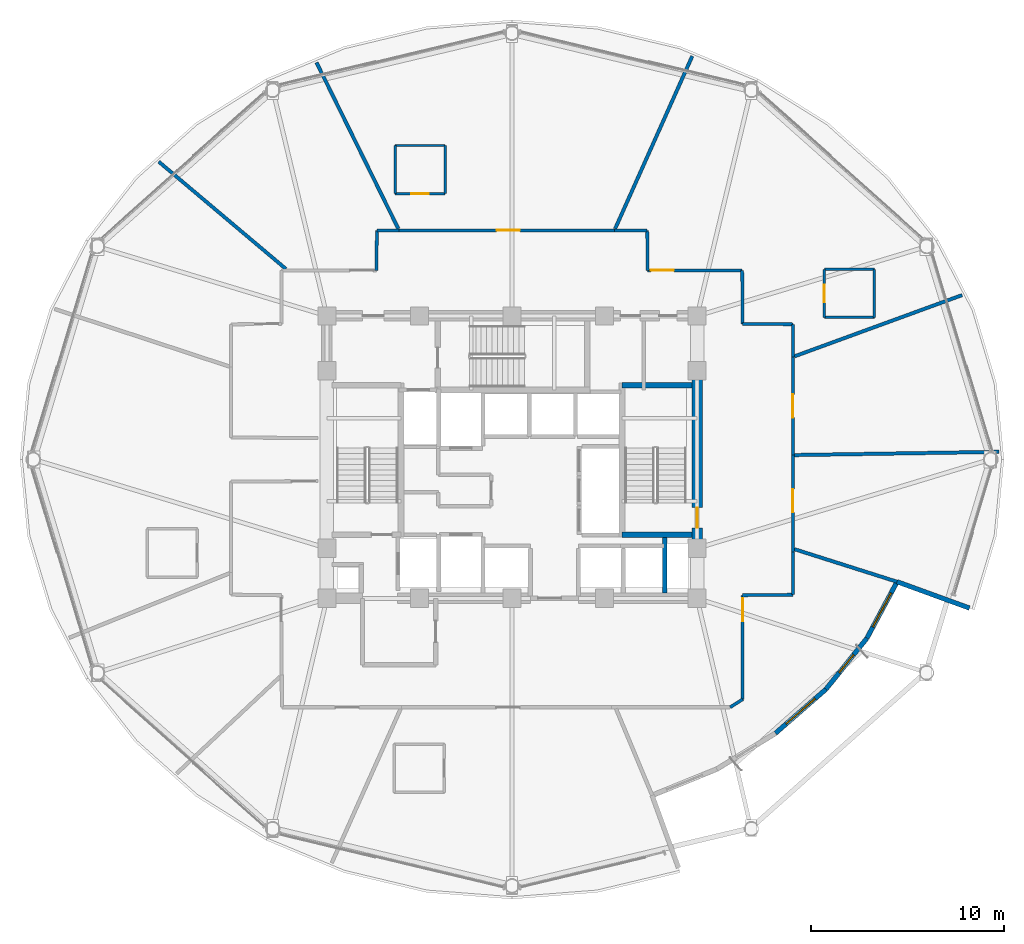
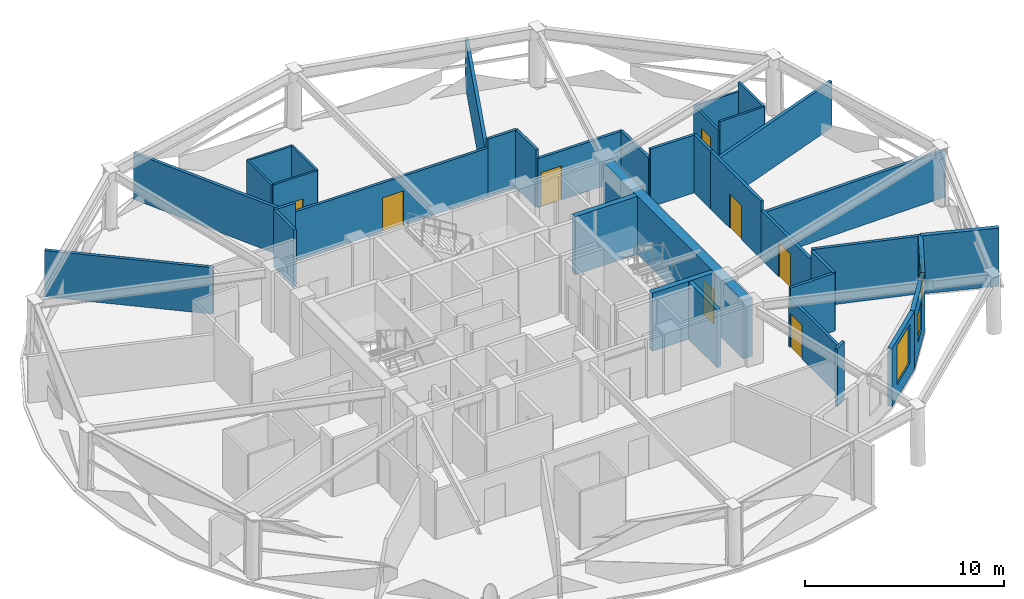
# One storey, part 12 of 16: 37 walls, 8 doors, 3 windows, 11 openings.
"""IFC4 building model written with IfcOpenShell, lengths in metres."""

import ifcopenshell
import ifcopenshell.guid

model = None  # the IFC model being written
_history = None  # IfcOwnerHistory: only IFC2X3 demands one
_inside = {}  # id of a spatial element -> (the spatial element, [elements in it])
_under = {}  # id of a project, library or spatial element -> (it, [spatial elements below it])
_declared = {}  # id of a project -> (the project, [libraries it declares])
_typed = {}  # id of a type object -> (the type object, [elements of that type])
_made_of = {}  # id of a material, layer set ... -> (it, [elements and type objects made of it])


def new_model(schema):
    """Start an empty IFC model of exactly this schema.

    Asked for "IFC4X3", IfcOpenShell would pick the latest addendum, in which some entities
    have other attributes; the version numbers below select the first issue.
    IFC2X3 requires an IfcOwnerHistory on every rooted entity: one is made here for all.
    """
    global model, _history
    if schema == "IFC4X3":
        model = ifcopenshell.file(schema_version=(4, 3, 0, 0))
    else:
        model = ifcopenshell.file(schema=schema)
    _inside.clear()
    _under.clear()
    _declared.clear()
    _typed.clear()
    _made_of.clear()
    _history = None
    if model.schema == "IFC2X3":
        org = make("IfcOrganization", Name="unknown")
        user = make(
            "IfcPersonAndOrganization",
            ThePerson=make("IfcPerson", FamilyName="unknown"),
            TheOrganization=org,
        )
        app = make(
            "IfcApplication",
            ApplicationDeveloper=org,
            Version="unknown",
            ApplicationFullName="unknown",
            ApplicationIdentifier="unknown",
        )
        _history = make(
            "IfcOwnerHistory",
            OwningUser=user,
            OwningApplication=app,
            ChangeAction="ADDED",
            CreationDate=0,
        )
    return model


def make(cls, **values):
    """One entity of the class cls with the attributes given. An attribute that is None is left unset."""
    return model.create_entity(
        cls, **{name: value for name, value in values.items() if value is not None}
    )


def rooted(cls, **values):
    """An entity with a GlobalId (a new one), such as an element, a storey or a relation."""
    return make(cls, GlobalId=ifcopenshell.guid.new(), OwnerHistory=_history, **values)


def si_unit(unit_type, name, prefix=None):
    """IfcSIUnit, for example si_unit("LENGTHUNIT", "METRE", prefix="MILLI")."""
    return make("IfcSIUnit", UnitType=unit_type, Prefix=prefix, Name=name)


def assignment(units):
    """IfcUnitAssignment: the units of a project."""
    return None if units is None else make("IfcUnitAssignment", Units=units)


def point(xyz):
    """IfcCartesianPoint."""
    return None if xyz is None else make("IfcCartesianPoint", Coordinates=xyz)


def direction(xyz):
    """IfcDirection."""
    return None if xyz is None else make("IfcDirection", DirectionRatios=xyz)


def frame(location, z_axis=None, x_axis=None):
    """IfcAxis2Placement3D, a coordinate frame: its origin and axes. An axis left out is left unset."""
    return make(
        "IfcAxis2Placement3D",
        Location=point(location),
        Axis=direction(z_axis),
        RefDirection=direction(x_axis),
    )


def frame_2d(location, x_axis=None):
    """IfcAxis2Placement2D, a coordinate frame in the plane: its origin and x axis."""
    return make(
        "IfcAxis2Placement2D", Location=point(location), RefDirection=direction(x_axis)
    )


def origin():
    """The frame at (0, 0, 0) with its axes left unset."""
    return frame((0.0, 0.0, 0.0))


def place(relative_to, where):
    """IfcLocalPlacement: puts the frame where relative to a parent placement (None: the world)."""
    return make(
        "IfcLocalPlacement", PlacementRelTo=relative_to, RelativePlacement=where
    )


def context(
    kind, dimensions, precision=None, world=None, true_north=None, identifier=None
):
    """IfcGeometricRepresentationContext, for example the 3D "Model" context."""
    return make(
        "IfcGeometricRepresentationContext",
        ContextIdentifier=identifier,
        ContextType=kind,
        CoordinateSpaceDimension=dimensions,
        Precision=precision,
        WorldCoordinateSystem=world,
        TrueNorth=true_north,
    )


def subcontext(parent, identifier, kind, view, scale=None):
    """IfcGeometricRepresentationSubContext, for example "Body" below "Model"."""
    return make(
        "IfcGeometricRepresentationSubContext",
        ContextIdentifier=identifier,
        ContextType=kind,
        ParentContext=parent,
        TargetScale=scale,
        TargetView=view,
    )


def project(units=None, contexts=None):
    """IfcProject with its units and contexts."""
    return rooted(
        "IfcProject",
        Name="project",
        RepresentationContexts=contexts,
        UnitsInContext=assignment(units),
    )


def spatial(cls, under=None, at=None, **own):
    """A site, building, storey or space (cls), placed at a placement, below another one or the project."""
    s = rooted(cls, ObjectPlacement=at, **own)
    if under is not None:
        _under.setdefault(under.id(), (under, []))[1].append(s)
    return s


def profile(cls, at=None, kind="AREA", **sizes):
    """A parametric profile (cls). Its sizes go by their IFC names, for example OverallWidth=200.0."""
    return make(cls, ProfileType=kind, Position=at, **sizes)


def rectangle(**sizes):
    """IfcRectangleProfileDef."""
    return profile("IfcRectangleProfileDef", **sizes)


def extrude(swept, where, along, depth):
    """IfcExtrudedAreaSolid: the profile swept, set in the frame where, extruded along a direction by depth."""
    return make(
        "IfcExtrudedAreaSolid",
        SweptArea=swept,
        Position=where,
        ExtrudedDirection=direction(along),
        Depth=depth,
    )


def shape(context_of_items, identifier, shape_type, items):
    """IfcShapeRepresentation: the items that make up one representation, for example the "Body"."""
    return make(
        "IfcShapeRepresentation",
        ContextOfItems=context_of_items,
        RepresentationIdentifier=identifier,
        RepresentationType=shape_type,
        Items=items,
    )


def material(Name=None, Category=None):
    """IfcMaterial."""
    return make("IfcMaterial", Name=Name, Category=Category)


def layer(
    of_material, thickness, ventilated=None, Name=None, Category=None, Priority=None
):
    """IfcMaterialLayer: one layer of a wall or slab, of a material (None: an air gap)."""
    return make(
        "IfcMaterialLayer",
        Material=of_material,
        LayerThickness=thickness,
        IsVentilated=ventilated,
        Name=Name,
        Category=Category,
        Priority=Priority,
    )


def layer_set(layers, Name=None):
    """IfcMaterialLayerSet."""
    return make("IfcMaterialLayerSet", MaterialLayers=layers, LayerSetName=Name)


def made_of(thing, what):
    """Note that an element or type object is made of a material, layer set ...; save() writes the relation."""
    if what is not None:
        _made_of.setdefault(what.id(), (what, []))[1].append(thing)
    return thing


def type_object(cls, material=None, **own):
    """A type object (cls), such as IfcWallType, which elements share."""
    return made_of(rooted(cls, **own), material)


def element(
    cls,
    number,
    at=None,
    inside=None,
    cuts=None,
    type_object=None,
    material=None,
    context=None,
    identifier="Body",
    shape_type=None,
    held_by="IfcProductDefinitionShape",
    body=None,
    shapes=None,
    **own,
):
    """One element of the class cls, such as IfcWall. Its Tag is "e" and its number.

    at: its placement. inside: the storey or other place that contains it. cuts: it is an
    opening in that element (IfcRelVoidsElement). A single representation is given by context,
    identifier, shape_type and body (its items); several are given by shapes. held_by: the class
    of the entity that holds the representations. save() writes the other relations.
    """
    e = rooted(cls, Tag="e%d" % number, ObjectPlacement=at, **own)
    if body is not None:
        shapes = [shape(context, identifier, shape_type, body)]
    if shapes is not None:
        e.Representation = make(held_by, Representations=shapes)
    if inside is not None:
        _inside.setdefault(inside.id(), (inside, []))[1].append(e)
    if cuts is not None:
        rooted(
            "IfcRelVoidsElement", RelatingBuildingElement=cuts, RelatedOpeningElement=e
        )
    if type_object is not None:
        _typed.setdefault(type_object.id(), (type_object, []))[1].append(e)
    return made_of(e, material)


def fill(opening, filler):
    """IfcRelFillsElement: the door or window that sits in an opening."""
    return rooted(
        "IfcRelFillsElement",
        RelatingOpeningElement=opening,
        RelatedBuildingElement=filler,
    )


def aggregate(whole, parts):
    """IfcRelAggregates: a whole, such as a stair, and the parts it consists of."""
    return rooted("IfcRelAggregates", RelatingObject=whole, RelatedObjects=parts)


def save(model, path):
    """Write the relations noted so far, then the file.

    IfcRelAggregates (storeys below a building ...), IfcRelContainedInSpatialStructure (elements
    in a storey), IfcRelDefinesByType, IfcRelAssociatesMaterial and IfcRelDeclares: one each for
    every whole, place, type object, material and project.
    """
    for whole, parts in _under.values():
        aggregate(whole, parts)
    for where, things in _inside.values():
        rooted(
            "IfcRelContainedInSpatialStructure",
            RelatedElements=things,
            RelatingStructure=where,
        )
    for kind, things in _typed.values():
        rooted("IfcRelDefinesByType", RelatedObjects=things, RelatingType=kind)
    for what, things in _made_of.values():
        rooted("IfcRelAssociatesMaterial", RelatedObjects=things, RelatingMaterial=what)
    for by, libraries in _declared.values():
        rooted("IfcRelDeclares", RelatingContext=by, RelatedDefinitions=libraries)
    model.write(path)


model = new_model("IFC4")

# Units and contexts
model_context = context("Model", 3, precision=1e-05, world=origin(), true_north=direction((0.0, 1.0)))
body_context = subcontext(model_context, "Body", "Model", "MODEL_VIEW")
ifc_project = project(units=[si_unit("LENGTHUNIT", "METRE"), si_unit("AREAUNIT", "SQUARE_METRE"), si_unit("VOLUMEUNIT", "CUBIC_METRE"), si_unit("PLANEANGLEUNIT", "RADIAN"), si_unit("MASSUNIT", "GRAM", prefix="KILO")], contexts=[model_context])

# Site, building, storey
site_placement = place(None, origin())
site = spatial("IfcSite", under=ifc_project, at=site_placement, CompositionType="ELEMENT")
building_placement = place(site_placement, origin())
building = spatial("IfcBuilding", under=site, at=building_placement, Name="Vantalir Tower", CompositionType="ELEMENT")
storey_placement = place(building_placement, frame((0.0, 0.0, 145.949951171875)))
storey = spatial("IfcBuildingStorey", under=building, at=storey_placement, Name="L36", CompositionType="ELEMENT", Elevation=145.949951171875)

# Walls
ifc_material_1 = material(Name="Moisture-resistant en-suite partition", Category="gypsum")
ifc_layer_1 = layer(ifc_material_1, 0.125)
ifc_layer_set_1 = layer_set([ifc_layer_1], Name="Moisture-resistant en-suite partition")
wall_type_1 = type_object("IfcWallType", Name="WL-BATH-125", PredefinedType="PARTITIONING", material=ifc_layer_set_1)
wall_1_placement = place(storey_placement, frame((47.697998046875, 32.3701171875, 0.0), z_axis=(0.0, 0.0, 1.0), x_axis=(1.0, 0.0, 0.0)))
element("IfcWall", 1, at=wall_1_placement, inside=storey, type_object=wall_type_1, Name="L36 En-suite 01 South Wall", PredefinedType="PARTITIONING", context=body_context, shape_type="SweptSolid", body=[
    extrude(rectangle(XDim=2.60009765625, YDim=0.125, at=frame_2d((1.300048828125, 0.0))), origin(), (0.0, 0.0, 1.0), 3.550048828125),
])
wall_2_placement = place(storey_placement, frame((47.697998046875, 34.8701171875, 0.0), z_axis=(0.0, 0.0, 1.0), x_axis=(1.0, 0.0, 0.0)))
element("IfcWall", 2, at=wall_2_placement, inside=storey, type_object=wall_type_1, Name="L36 En-suite 01 North Wall", PredefinedType="PARTITIONING", context=body_context, shape_type="SweptSolid", body=[
    extrude(rectangle(XDim=2.60009765625, YDim=0.125, at=frame_2d((1.300048828125, 0.0))), origin(), (0.0, 0.0, 1.0), 3.006103515625),
])

# Wall, opening, door
wall_3_placement = place(storey_placement, frame((47.697998046875, 32.3701171875, 0.0), z_axis=(0.0, 0.0, 1.0), x_axis=(0.0, 1.0, 0.0)))
wall_3 = element("IfcWall", 3, at=wall_3_placement, inside=storey, type_object=wall_type_1, Name="L36 En-suite 01 West Wall", PredefinedType="PARTITIONING", context=body_context, shape_type="SweptSolid", body=[
    extrude(rectangle(XDim=2.5, YDim=0.125, at=frame_2d((1.25, 0.0))), origin(), (0.0, 0.0, 1.0), 3.006103515625),
])
opening_1_placement = place(wall_3_placement, frame((0.800048828125, 0.0, 0.0)))
opening_1 = element("IfcOpeningElement", 4, at=opening_1_placement, cuts=wall_3, Name="Opening D-WC", PredefinedType="OPENING", context=body_context, shape_type="SweptSolid", body=[
    extrude(rectangle(XDim=0.89990234375, YDim=2.10009765625, at=frame_2d((0.449951171875, 1.050048828125))), frame((0.0, 0.072509765625, 0.0), z_axis=(0.0, -1.0, 0.0), x_axis=(1.0, 0.0, 0.0)), (0.0, 0.0, 1.0), 0.14501953125),
])
ifc_material_2 = material(Name="Moisture-resistant hardwood door", Category="wood")
door_type_1 = type_object("IfcDoorType", Name="DR-ENSUITE-900", OperationType="NOTDEFINED", PredefinedType="DOOR", material=ifc_material_2)
door_1_placement = place(opening_1_placement, frame((0.89990234375, 0.0, 0.0), z_axis=(0.0, 0.0, 1.0), x_axis=(-1.0, 0.0, 0.0)))
door_1 = element("IfcDoor", 5, at=door_1_placement, inside=storey, type_object=door_type_1, Name="L36 En-suite 01 Door", OperationType="SINGLE_SWING_RIGHT", OverallHeight=2.10009765625, OverallWidth=0.89990234375, PredefinedType="DOOR", context=body_context, shape_type="SweptSolid", body=[
    extrude(rectangle(XDim=0.89990234375, YDim=2.10009765625, at=frame_2d((0.449951171875, 1.050048828125))), frame((0.0, 0.02490234375, 0.0), z_axis=(0.0, -1.0, 0.0), x_axis=(1.0, 0.0, 0.0)), (0.0, 0.0, 1.0), 0.050048828125),
])
fill(opening_1, door_1)

# Wall
wall_4_placement = place(storey_placement, frame((50.298095703125, 32.3701171875, 0.0), z_axis=(0.0, 0.0, 1.0), x_axis=(0.0, 1.0, 0.0)))
element("IfcWall", 6, at=wall_4_placement, inside=storey, type_object=wall_type_1, Name="L36 En-suite 01 East Wall", PredefinedType="PARTITIONING", context=body_context, shape_type="SweptSolid", body=[
    extrude(rectangle(XDim=2.5, YDim=0.125, at=frame_2d((1.25, 0.0))), origin(), (0.0, 0.0, 1.0), 3.550048828125),
])

# Wall, opening, door
wall_5_placement = place(storey_placement, frame((25.43505859375, 38.7880859375, 0.0), z_axis=(0.0, 0.0, 1.0), x_axis=(1.0, 0.0, 0.0)))
wall_5 = element("IfcWall", 7, at=wall_5_placement, inside=storey, type_object=wall_type_1, Name="L36 En-suite 02 South Wall", PredefinedType="PARTITIONING", context=body_context, shape_type="SweptSolid", body=[
    extrude(rectangle(XDim=2.599853515625, YDim=0.125, at=frame_2d((1.2998046875, 0.0))), origin(), (0.0, 0.0, 1.0), 3.550048828125),
])
opening_2_placement = place(wall_5_placement, frame((0.85009765625, 0.0, 0.0)))
opening_2 = element("IfcOpeningElement", 8, at=opening_2_placement, cuts=wall_5, Name="Opening D-WC", PredefinedType="OPENING", context=body_context, shape_type="SweptSolid", body=[
    extrude(rectangle(XDim=0.89990234375, YDim=2.10009765625, at=frame_2d((0.449951171875, 1.050048828125))), frame((0.0, 0.072509765625, 0.0), z_axis=(0.0, -1.0, 0.0), x_axis=(1.0, 0.0, 0.0)), (0.0, 0.0, 1.0), 0.14501953125),
])
door_2_placement = place(opening_2_placement, origin())
door_2 = element("IfcDoor", 9, at=door_2_placement, inside=storey, type_object=door_type_1, Name="L36 En-suite 02 Door", OperationType="SINGLE_SWING_LEFT", OverallHeight=2.10009765625, OverallWidth=0.89990234375, PredefinedType="DOOR", context=body_context, shape_type="SweptSolid", body=[
    extrude(rectangle(XDim=0.89990234375, YDim=2.10009765625, at=frame_2d((0.449951171875, 1.050048828125))), frame((0.0, 0.02490234375, 0.0), z_axis=(0.0, -1.0, 0.0), x_axis=(1.0, 0.0, 0.0)), (0.0, 0.0, 1.0), 0.050048828125),
])
fill(opening_2, door_2)

# Walls
wall_6_placement = place(storey_placement, frame((25.43505859375, 41.2880859375, 0.0), z_axis=(0.0, 0.0, 1.0), x_axis=(1.0, 0.0, 0.0)))
element("IfcWall", 10, at=wall_6_placement, inside=storey, type_object=wall_type_1, Name="L36 En-suite 02 North Wall", PredefinedType="PARTITIONING", context=body_context, shape_type="SweptSolid", body=[
    extrude(rectangle(XDim=2.599853515625, YDim=0.125, at=frame_2d((1.2998046875, 0.0))), origin(), (0.0, 0.0, 1.0), 3.550048828125),
])
for number, where, z_axis, x_axis, name in (
    (11, (25.43505859375, 38.7880859375, 0.0), (0.0, 0.0, 1.0), (0.0, 1.0, 0.0), "L36 En-suite 02 West Wall"),
    (12, (28.034912109375, 38.7880859375, 0.0), (0.0, 0.0, 1.0), (0.0, 1.0, 0.0), "L36 En-suite 02 East Wall"),
):
    element("IfcWall", number, at=place(storey_placement, frame(where, z_axis=z_axis, x_axis=x_axis)), inside=storey, type_object=wall_type_1, Name=name, PredefinedType="PARTITIONING", context=body_context, shape_type="SweptSolid", body=[
        extrude(rectangle(XDim=2.5, YDim=0.125, at=frame_2d((1.25, 0.0))), origin(), (0.0, 0.0, 1.0), 3.550048828125),
    ])

# Wall, opening, door
ifc_material_3 = material(Name="Concrete C60/75", Category="concrete")
ifc_layer_2 = layer(ifc_material_3, 0.550048828125)
ifc_layer_set_2 = layer_set([ifc_layer_2], Name="Concrete C60/75")
wall_type_2 = type_object("IfcWallType", Name="WL-CORE-550", PredefinedType="SHEAR", material=ifc_layer_set_2)
wall_7_placement = place(storey_placement, frame((41.10009765625, 18.074951171875, 0.0), z_axis=(0.0, 0.0, 1.0), x_axis=(0.0, 1.0, 0.0)))
wall_7 = element("IfcWall", 13, at=wall_7_placement, inside=storey, type_object=wall_type_2, Name="L36 Core Shear Wall East", PredefinedType="SHEAR", context=body_context, shape_type="SweptSolid", body=[
    extrude(rectangle(XDim=14.10009765625, YDim=0.550048828125, at=frame_2d((7.050048828125, 0.0))), origin(), (0.0, 0.0, 1.0), 3.570068359375),
])
opening_3_placement = place(wall_7_placement, frame((3.385009765625, 0.0, 0.0)))
opening_3 = element("IfcOpeningElement", 14, at=opening_3_placement, cuts=wall_7, Name="Opening D-ST", PredefinedType="OPENING", context=body_context, shape_type="SweptSolid", body=[
    extrude(rectangle(XDim=1.050048828125, YDim=2.10009765625, at=frame_2d((0.52490234375, 1.050048828125))), frame((0.0, 0.284912109375, 0.0), z_axis=(0.0, -1.0, 0.0), x_axis=(1.0, 0.0, 0.0)), (0.0, 0.0, 1.0), 0.570068359375),
])
ifc_material_4 = material(Name="Fire-rated steel door leaf", Category="steel")
door_type_2 = type_object("IfcDoorType", Name="DR-FIRE-STAIR-1050", OperationType="NOTDEFINED", PredefinedType="DOOR", material=ifc_material_4)
door_3_placement = place(opening_3_placement, origin())
door_3 = element("IfcDoor", 15, at=door_3_placement, inside=storey, type_object=door_type_2, Name="L36 Exit Stair ST2 Fire Door", OperationType="SINGLE_SWING_LEFT", OverallHeight=2.10009765625, OverallWidth=1.050048828125, PredefinedType="DOOR", context=body_context, shape_type="SweptSolid", body=[
    extrude(rectangle(XDim=1.050048828125, YDim=2.10009765625, at=frame_2d((0.52490234375, 1.050048828125))), frame((0.0, 0.02490234375, 0.0), z_axis=(0.0, -1.0, 0.0), x_axis=(1.0, 0.0, 0.0)), (0.0, 0.0, 1.0), 0.050048828125),
])
fill(opening_3, door_3)

# Walls
ifc_material_5 = material(Name="Fire-rated hotel corridor acoustic partition", Category="gypsum")
ifc_layer_3 = layer(ifc_material_5, 0.159912109375)
ifc_layer_set_3 = layer_set([ifc_layer_3], Name="Fire-rated hotel corridor acoustic partition")
wall_type_3 = type_object("IfcWallType", Name="WL-CORR-160", PredefinedType="PARTITIONING", material=ifc_layer_set_3)
wall_8_placement = place(storey_placement, frame((24.4599609375, 34.81494140625, 0.0), z_axis=(0.0, 0.0, 1.0), x_axis=(0.0174111737, 0.999848414026, 0.0)))
element("IfcWall", 16, at=wall_8_placement, inside=storey, type_object=wall_type_3, Name="L36 Corridor Partition 07", PredefinedType="PARTITIONING", context=body_context, shape_type="SweptSolid", body=[
    extrude(rectangle(XDim=2.0751953125, YDim=0.159912109375, at=frame_2d((1.03759765625, 0.0))), origin(), (0.0, 0.0, 1.0), 3.550048828125),
])
wall_9_placement = place(storey_placement, frame((24.49609375, 36.889892578125, 0.0), z_axis=(0.0, 0.0, 1.0), x_axis=(1.0, 0.0, 0.0)))
element("IfcWall", 17, at=wall_9_placement, inside=storey, type_object=wall_type_3, Name="L36 Corridor Partition 08", PredefinedType="PARTITIONING", context=body_context, shape_type="SweptSolid", body=[
    extrude(rectangle(XDim=1.14892578125, YDim=0.159912109375, at=frame_2d((0.574462890625, 0.0))), origin(), (0.0, 0.0, 1.0), 3.550048828125),
])

# Wall, opening, door
wall_10_placement = place(storey_placement, frame((25.64501953125, 36.889892578125, 0.0), z_axis=(0.0, 0.0, 1.0), x_axis=(0.999999984705, -0.000174901615, 0.0)))
wall_10 = element("IfcWall", 18, at=wall_10_placement, inside=storey, type_object=wall_type_3, Name="L36 Corridor Partition 09", PredefinedType="PARTITIONING", context=body_context, shape_type="SweptSolid", body=[
    extrude(rectangle(XDim=11.1669921875, YDim=0.159912109375, at=frame_2d((5.58349609375, 0.0))), origin(), (0.0, 0.0, 1.0), 3.006103515625),
])
opening_4_placement = place(wall_10_placement, frame((5.05810546875, 0.0, 0.0)))
opening_4 = element("IfcOpeningElement", 19, at=opening_4_placement, cuts=wall_10, Name="Opening D-STE", PredefinedType="OPENING", context=body_context, shape_type="SweptSolid", body=[
    extrude(rectangle(XDim=1.199951171875, YDim=2.10009765625, at=frame_2d((0.60009765625, 1.050048828125))), frame((0.0, 0.08984375, 0.0), z_axis=(0.0, -1.0, 0.0), x_axis=(1.0, 0.0, 0.0)), (0.0, 0.0, 1.0), 0.179931640625),
])
ifc_material_6 = material(Name="Solid-core teak veneer suite entrance door", Category="wood")
door_type_3 = type_object("IfcDoorType", Name="DR-SUITE-ENTRY-1200", OperationType="NOTDEFINED", PredefinedType="DOOR", material=ifc_material_6)
door_4_placement = place(opening_4_placement, origin())
door_4 = element("IfcDoor", 20, at=door_4_placement, inside=storey, type_object=door_type_3, Name="L36 Executive Club Hotel Suite 02 Door", OperationType="SINGLE_SWING_RIGHT", OverallHeight=2.10009765625, OverallWidth=1.199951171875, PredefinedType="DOOR", context=body_context, shape_type="SweptSolid", body=[
    extrude(rectangle(XDim=1.199951171875, YDim=2.10009765625, at=frame_2d((0.60009765625, 1.050048828125))), frame((0.0, 0.02490234375, 0.0), z_axis=(0.0, -1.0, 0.0), x_axis=(1.0, 0.0, 0.0)), (0.0, 0.0, 1.0), 0.050048828125),
])
fill(opening_4, door_4)

# Walls
wall_11_placement = place(storey_placement, frame((36.81201171875, 36.887939453125, 0.0), z_axis=(0.0, 0.0, 1.0), x_axis=(1.0, 0.0, 0.0)))
element("IfcWall", 21, at=wall_11_placement, inside=storey, type_object=wall_type_3, Name="L36 Corridor Partition 10", PredefinedType="PARTITIONING", context=body_context, shape_type="SweptSolid", body=[
    extrude(rectangle(XDim=1.699951171875, YDim=0.159912109375, at=frame_2d((0.85009765625, 0.0))), origin(), (0.0, 0.0, 1.0), 3.550048828125),
])
wall_12_placement = place(storey_placement, frame((38.511962890625, 36.887939453125, 0.0), z_axis=(0.0, 0.0, 1.0), x_axis=(0.013542510192, -0.999908296004, 0.0)))
element("IfcWall", 22, at=wall_12_placement, inside=storey, type_object=wall_type_3, Name="L36 Corridor Partition 11", PredefinedType="PARTITIONING", context=body_context, shape_type="SweptSolid", body=[
    extrude(rectangle(XDim=2.0732421875, YDim=0.159912109375, at=frame_2d((1.03662109375, 0.0))), origin(), (0.0, 0.0, 1.0), 3.550048828125),
])

# Wall, opening, door
wall_13_placement = place(storey_placement, frame((38.5400390625, 34.81494140625, 0.0), z_axis=(0.0, 0.0, 1.0), x_axis=(0.999999821253, -0.000597907217, 0.0)))
wall_13 = element("IfcWall", 23, at=wall_13_placement, inside=storey, type_object=wall_type_3, Name="L36 Corridor Partition 12", PredefinedType="PARTITIONING", context=body_context, shape_type="SweptSolid", body=[
    extrude(rectangle(XDim=4.89990234375, YDim=0.159912109375, at=frame_2d((2.449951171875, 0.0))), origin(), (0.0, 0.0, 1.0), 3.006103515625),
])
opening_5_placement = place(wall_13_placement, frame((0.159912109375, 0.0, 0.0)))
opening_5 = element("IfcOpeningElement", 24, at=opening_5_placement, cuts=wall_13, Name="Opening D-STE", PredefinedType="OPENING", context=body_context, shape_type="SweptSolid", body=[
    extrude(rectangle(XDim=1.199951171875, YDim=2.10009765625, at=frame_2d((0.60009765625, 1.050048828125))), frame((0.0, 0.08984375, 0.0), z_axis=(0.0, -1.0, 0.0), x_axis=(1.0, 0.0, 0.0)), (0.0, 0.0, 1.0), 0.179931640625),
])
door_5_placement = place(opening_5_placement, origin())
door_5 = element("IfcDoor", 25, at=door_5_placement, inside=storey, type_object=door_type_3, Name="L36 Corner Panorama Hotel Suite 01 Door", OperationType="SINGLE_SWING_LEFT", OverallHeight=2.10009765625, OverallWidth=1.199951171875, PredefinedType="DOOR", context=body_context, shape_type="SweptSolid", body=[
    extrude(rectangle(XDim=1.199951171875, YDim=2.10009765625, at=frame_2d((0.60009765625, 1.050048828125))), frame((0.0, 0.02490234375, 0.0), z_axis=(0.0, -1.0, 0.0), x_axis=(1.0, 0.0, 0.0)), (0.0, 0.0, 1.0), 0.050048828125),
])
fill(opening_5, door_5)

# Walls
wall_14_placement = place(storey_placement, frame((43.43994140625, 34.81201171875, 0.0), z_axis=(0.0, 0.0, 1.0), x_axis=(0.009071319538, -0.999958854734, 0.0)))
element("IfcWall", 26, at=wall_14_placement, inside=storey, type_object=wall_type_3, Name="L36 Corridor Partition 13", PredefinedType="PARTITIONING", context=body_context, shape_type="SweptSolid", body=[
    extrude(rectangle(XDim=2.77197265625, YDim=0.159912109375, at=frame_2d((1.385986328125, 0.0))), origin(), (0.0, 0.0, 1.0), 3.006103515625),
])
wall_15_placement = place(storey_placement, frame((43.465087890625, 32.0400390625, 0.0), z_axis=(0.0, 0.0, 1.0), x_axis=(0.999953480577, -0.009645552397, 0.0)))
element("IfcWall", 27, at=wall_15_placement, inside=storey, type_object=wall_type_3, Name="L36 Corridor Partition 14", PredefinedType="PARTITIONING", context=body_context, shape_type="SweptSolid", body=[
    extrude(rectangle(XDim=2.60693359375, YDim=0.159912109375, at=frame_2d((1.303466796875, 0.0))), origin(), (0.0, 0.0, 1.0), 3.550048828125),
])
wall_16_placement = place(storey_placement, frame((46.072021484375, 32.014892578125, 0.0), z_axis=(0.0, 0.0, 1.0), x_axis=(0.0, -1.0, 0.0)))
element("IfcWall", 28, at=wall_16_placement, inside=storey, type_object=wall_type_3, Name="L36 Corridor Partition 15", PredefinedType="PARTITIONING", context=body_context, shape_type="SweptSolid", body=[
    extrude(rectangle(XDim=1.69091796875, YDim=0.159912109375, at=frame_2d((0.845458984375, 0.0))), origin(), (0.0, 0.0, 1.0), 3.550048828125),
])

# Wall, opening, door
wall_17_placement = place(storey_placement, frame((46.072021484375, 30.323974609375, 0.0), z_axis=(0.0, 0.0, 1.0), x_axis=(0.000191708599, -0.999999981624, 0.0)))
wall_17 = element("IfcWall", 29, at=wall_17_placement, inside=storey, type_object=wall_type_3, Name="L36 Corridor Partition 16", PredefinedType="PARTITIONING", context=body_context, shape_type="SweptSolid", body=[
    extrude(rectangle(XDim=5.093994140625, YDim=0.159912109375, at=frame_2d((2.546875, 0.0))), origin(), (0.0, 0.0, 1.0), 3.550048828125),
])
opening_6_placement = place(wall_17_placement, frame((1.947021484375, 0.0, 0.0)))
opening_6 = element("IfcOpeningElement", 30, at=opening_6_placement, cuts=wall_17, Name="Opening D-STE", PredefinedType="OPENING", context=body_context, shape_type="SweptSolid", body=[
    extrude(rectangle(XDim=1.199951171875, YDim=2.10009765625, at=frame_2d((0.60009765625, 1.050048828125))), frame((0.0, 0.08984375, 0.0), z_axis=(0.0, -1.0, 0.0), x_axis=(1.0, 0.0, 0.0)), (0.0, 0.0, 1.0), 0.179931640625),
])
door_6_placement = place(opening_6_placement, origin())
door_6 = element("IfcDoor", 31, at=door_6_placement, inside=storey, type_object=door_type_3, Name="L36 Executive Sky Boardroom 11 Door", OperationType="SINGLE_SWING_LEFT", OverallHeight=2.10009765625, OverallWidth=1.199951171875, PredefinedType="DOOR", context=body_context, shape_type="SweptSolid", body=[
    extrude(rectangle(XDim=1.199951171875, YDim=2.10009765625, at=frame_2d((0.60009765625, 1.050048828125))), frame((0.0, 0.02490234375, 0.0), z_axis=(0.0, -1.0, 0.0), x_axis=(1.0, 0.0, 0.0)), (0.0, 0.0, 1.0), 0.050048828125),
])
fill(opening_6, door_6)

wall_18_placement = place(storey_placement, frame((46.072998046875, 25.22998046875, 0.0), z_axis=(0.0, 0.0, 1.0), x_axis=(0.0, -1.0, 0.0)))
wall_18 = element("IfcWall", 32, at=wall_18_placement, inside=storey, type_object=wall_type_3, Name="L36 Corridor Partition 17", PredefinedType="PARTITIONING", context=body_context, shape_type="SweptSolid", body=[
    extrude(rectangle(XDim=5.02587890625, YDim=0.159912109375, at=frame_2d((2.512939453125, 0.0))), origin(), (0.0, 0.0, 1.0), 3.006103515625),
])
opening_7_placement = place(wall_18_placement, frame((1.76708984375, 0.0, 0.0)))
opening_7 = element("IfcOpeningElement", 33, at=opening_7_placement, cuts=wall_18, Name="Opening D-STE", PredefinedType="OPENING", context=body_context, shape_type="SweptSolid", body=[
    extrude(rectangle(XDim=1.199951171875, YDim=2.10009765625, at=frame_2d((0.60009765625, 1.050048828125))), frame((0.0, 0.08984375, 0.0), z_axis=(0.0, -1.0, 0.0), x_axis=(1.0, 0.0, 0.0)), (0.0, 0.0, 1.0), 0.179931640625),
])
door_7_placement = place(opening_7_placement, origin())
door_7 = element("IfcDoor", 34, at=door_7_placement, inside=storey, type_object=door_type_3, Name="L36 Club Reading Lounge 10 Door", OperationType="SINGLE_SWING_RIGHT", OverallHeight=2.10009765625, OverallWidth=1.199951171875, PredefinedType="DOOR", context=body_context, shape_type="SweptSolid", body=[
    extrude(rectangle(XDim=1.199951171875, YDim=2.10009765625, at=frame_2d((0.60009765625, 1.050048828125))), frame((0.0, 0.02490234375, 0.0), z_axis=(0.0, -1.0, 0.0), x_axis=(1.0, 0.0, 0.0)), (0.0, 0.0, 1.0), 0.050048828125),
])
fill(opening_7, door_7)

# Walls
wall_19_placement = place(storey_placement, frame((46.072998046875, 20.2041015625, 0.0), z_axis=(0.0, 0.0, 1.0), x_axis=(0.0, -1.0, 0.0)))
element("IfcWall", 35, at=wall_19_placement, inside=storey, type_object=wall_type_3, Name="L36 Corridor Partition 18", PredefinedType="PARTITIONING", context=body_context, shape_type="SweptSolid", body=[
    extrude(rectangle(XDim=2.216064453125, YDim=0.159912109375, at=frame_2d((1.10791015625, 0.0))), origin(), (0.0, 0.0, 1.0), 3.550048828125),
])
wall_20_placement = place(storey_placement, frame((46.072998046875, 17.988037109375, 0.0), z_axis=(0.0, 0.0, 1.0), x_axis=(-0.99994205409, -0.010765150367, 0.0)))
element("IfcWall", 36, at=wall_20_placement, inside=storey, type_object=wall_type_3, Name="L36 Corridor Partition 19", PredefinedType="PARTITIONING", context=body_context, shape_type="SweptSolid", body=[
    extrude(rectangle(XDim=2.608154296875, YDim=0.159912109375, at=frame_2d((1.30419921875, 0.0))), origin(), (0.0, 0.0, 1.0), 3.550048828125),
])

# Wall, opening, door
wall_21_placement = place(storey_placement, frame((43.465087890625, 17.9599609375, 0.0), z_axis=(0.0, 0.0, 1.0), x_axis=(0.0, -1.0, 0.0)))
wall_21 = element("IfcWall", 37, at=wall_21_placement, inside=storey, type_object=wall_type_3, Name="L36 Corridor Partition 20", PredefinedType="PARTITIONING", context=body_context, shape_type="SweptSolid", body=[
    extrude(rectangle(XDim=5.39697265625, YDim=0.159912109375, at=frame_2d((2.698486328125, 0.0))), origin(), (0.0, 0.0, 1.0), 3.006103515625),
])
opening_8_placement = place(wall_21_placement, frame((0.159912109375, 0.0, 0.0)))
opening_8 = element("IfcOpeningElement", 38, at=opening_8_placement, cuts=wall_21, Name="Opening D-STE", PredefinedType="OPENING", context=body_context, shape_type="SweptSolid", body=[
    extrude(rectangle(XDim=1.199951171875, YDim=2.10009765625, at=frame_2d((0.60009765625, 1.050048828125))), frame((0.0, 0.08984375, 0.0), z_axis=(0.0, -1.0, 0.0), x_axis=(1.0, 0.0, 0.0)), (0.0, 0.0, 1.0), 0.179931640625),
])
door_8_placement = place(opening_8_placement, origin())
door_8 = element("IfcDoor", 39, at=door_8_placement, inside=storey, type_object=door_type_3, Name="L36 Sky Garden Conservatory Lounge 09 Door", OperationType="SINGLE_SWING_LEFT", OverallHeight=2.10009765625, OverallWidth=1.199951171875, PredefinedType="DOOR", context=body_context, shape_type="SweptSolid", body=[
    extrude(rectangle(XDim=1.199951171875, YDim=2.10009765625, at=frame_2d((0.60009765625, 1.050048828125))), frame((0.0, 0.02490234375, 0.0), z_axis=(0.0, -1.0, 0.0), x_axis=(1.0, 0.0, 0.0)), (0.0, 0.0, 1.0), 0.050048828125),
])
fill(opening_8, door_8)

# Walls
wall_22_placement = place(storey_placement, frame((43.465087890625, 12.56298828125, 0.0), z_axis=(0.0, 0.0, 1.0), x_axis=(-0.844249301718, -0.535950666152, 0.0)))
element("IfcWall", 40, at=wall_22_placement, inside=storey, type_object=wall_type_3, Name="L36 Corridor Partition 21", PredefinedType="PARTITIONING", context=body_context, shape_type="SweptSolid", body=[
    extrude(rectangle(XDim=0.76904296875, YDim=0.159912109375, at=frame_2d((0.384521484375, 0.0))), origin(), (0.0, 0.0, 1.0), 3.550048828125),
])
ifc_material_7 = material(Name="Precast concrete C40/50 insulated sky-garden wall", Category="concrete")
ifc_layer_4 = layer(ifc_material_7, 0.239990234375)
ifc_layer_set_4 = layer_set([ifc_layer_4], Name="Precast concrete C40/50 insulated sky-garden wall")
wall_type_4 = type_object("IfcWallType", Name="WL-EXT-SG-240", PredefinedType="SOLIDWALL", material=ifc_layer_set_4)
wall_23_placement = place(storey_placement, frame((51.472900390625, 18.660888671875, 0.0), z_axis=(0.0, 0.0, 1.0), x_axis=(0.939713209288, -0.341963571582, 0.0)))
element("IfcWall", 41, at=wall_23_placement, inside=storey, type_object=wall_type_4, Name="L36 SG2 Sky-Garden Return Wall B", PredefinedType="SOLIDWALL", context=body_context, shape_type="SweptSolid", body=[
    extrude(rectangle(XDim=4.000244140625, YDim=0.239990234375, at=frame_2d((2.0, 0.0))), origin(), (0.0, 0.0, 1.0), 3.570068359375),
])

# Wall, opening, window
wall_24_placement = place(storey_placement, frame((45.162109375, 10.802001953125, 0.0), z_axis=(0.0, 0.0, 1.0), x_axis=(0.753641593814, 0.657285590952, 0.0)))
wall_24 = element("IfcWall", 42, at=wall_24_placement, inside=storey, type_object=wall_type_4, Name="L36 SG2 Sky-Garden Lounge Wall 3", PredefinedType="SOLIDWALL", context=body_context, shape_type="SweptSolid", body=[
    extrude(rectangle(XDim=3.476318359375, YDim=0.239990234375, at=frame_2d((1.73828125, 0.0))), origin(), (0.0, 0.0, 1.0), 3.570068359375),
])
opening_9_placement = place(wall_24_placement, frame((0.738037109375, 0.0, 0.85009765625)))
opening_9 = element("IfcOpeningElement", 43, at=opening_9_placement, cuts=wall_24, Name="Opening WN-3", PredefinedType="OPENING", context=body_context, shape_type="SweptSolid", body=[
    extrude(rectangle(XDim=2.0, YDim=2.39990234375, at=frame_2d((1.0, 1.199951171875))), frame((0.0, 0.1298828125, 0.0), z_axis=(0.0, -1.0, 0.0), x_axis=(1.0, 0.0, 0.0)), (0.0, 0.0, 1.0), 0.260009765625),
])
ifc_material_8 = material(Name="Double-silver Low-E sky-garden lounge window", Category="glass")
window_type_1 = type_object("IfcWindowType", Name="WIN-SG-2000x2400", PartitioningType="SINGLE_PANEL", PredefinedType="WINDOW", material=ifc_material_8)
window_1_placement = place(opening_9_placement, origin())
window_1 = element("IfcWindow", 44, at=window_1_placement, inside=storey, type_object=window_type_1, Name="L36 SG2 Sky-Garden Window 3", OverallHeight=2.39990234375, OverallWidth=2.0, PartitioningType="SINGLE_PANEL", PredefinedType="WINDOW", context=body_context, shape_type="SweptSolid", body=[
    extrude(rectangle(XDim=2.0, YDim=2.39990234375, at=frame_2d((1.0, 1.199951171875))), frame((0.0, 0.030029296875, 0.0), z_axis=(0.0, -1.0, 0.0), x_axis=(1.0, 0.0, 0.0)), (0.0, 0.0, 1.0), 0.06005859375),
])
fill(opening_9, window_1)

wall_25_placement = place(storey_placement, frame((47.781982421875, 13.0869140625, 0.0), z_axis=(0.0, 0.0, 1.0), x_axis=(0.626167832316, 0.779688300395, 0.0)))
wall_25 = element("IfcWall", 45, at=wall_25_placement, inside=storey, type_object=wall_type_4, Name="L36 SG2 Sky-Garden Lounge Wall 4", PredefinedType="SOLIDWALL", context=body_context, shape_type="SweptSolid", body=[
    extrude(rectangle(XDim=3.3935546875, YDim=0.239990234375, at=frame_2d((1.69677734375, 0.0))), origin(), (0.0, 0.0, 1.0), 3.570068359375),
])
opening_10_placement = place(wall_25_placement, frame((1.096923828125, 0.0, 0.85009765625)))
opening_10 = element("IfcOpeningElement", 46, at=opening_10_placement, cuts=wall_25, Name="Opening WN-4", PredefinedType="OPENING", context=body_context, shape_type="SweptSolid", body=[
    extrude(rectangle(XDim=1.199951171875, YDim=1.800048828125, at=frame_2d((0.60009765625, 0.89990234375))), frame((0.0, 0.1298828125, 0.0), z_axis=(0.0, -1.0, 0.0), x_axis=(1.0, 0.0, 0.0)), (0.0, 0.0, 1.0), 0.260009765625),
])
ifc_material_9 = material(Name="Operable smoke-vent Low-E window", Category="glass")
window_type_2 = type_object("IfcWindowType", Name="WIN-SG-1200x1800", PartitioningType="SINGLE_PANEL", PredefinedType="WINDOW", material=ifc_material_9)
window_2_placement = place(opening_10_placement, origin())
window_2 = element("IfcWindow", 47, at=window_2_placement, inside=storey, type_object=window_type_2, Name="L36 SG2 Sky-Garden Window 4", OverallHeight=1.800048828125, OverallWidth=1.199951171875, PartitioningType="SINGLE_PANEL", PredefinedType="WINDOW", context=body_context, shape_type="SweptSolid", body=[
    extrude(rectangle(XDim=1.199951171875, YDim=1.800048828125, at=frame_2d((0.60009765625, 0.89990234375))), frame((0.0, 0.030029296875, 0.0), z_axis=(0.0, -1.0, 0.0), x_axis=(1.0, 0.0, 0.0)), (0.0, 0.0, 1.0), 0.06005859375),
])
fill(opening_10, window_2)

wall_26_placement = place(storey_placement, frame((49.906982421875, 15.73291015625, 0.0), z_axis=(0.0, 0.0, 1.0), x_axis=(0.4716030563, 0.88181095326, 0.0)))
wall_26 = element("IfcWall", 48, at=wall_26_placement, inside=storey, type_object=wall_type_4, Name="L36 SG2 Sky-Garden Lounge Wall 5", PredefinedType="SOLIDWALL", context=body_context, shape_type="SweptSolid", body=[
    extrude(rectangle(XDim=3.3203125, YDim=0.239990234375, at=frame_2d((1.66015625, 0.0))), origin(), (0.0, 0.0, 1.0), 3.570068359375),
])
opening_11_placement = place(wall_26_placement, frame((0.659912109375, 0.0, 0.85009765625)))
opening_11 = element("IfcOpeningElement", 49, at=opening_11_placement, cuts=wall_26, Name="Opening WN-3", PredefinedType="OPENING", context=body_context, shape_type="SweptSolid", body=[
    extrude(rectangle(XDim=2.0, YDim=2.39990234375, at=frame_2d((1.0, 1.199951171875))), frame((0.0, 0.1298828125, 0.0), z_axis=(0.0, -1.0, 0.0), x_axis=(1.0, 0.0, 0.0)), (0.0, 0.0, 1.0), 0.260009765625),
])
window_3_placement = place(opening_11_placement, origin())
window_3 = element("IfcWindow", 50, at=window_3_placement, inside=storey, type_object=window_type_1, Name="L36 SG2 Sky-Garden Window 5", OverallHeight=2.39990234375, OverallWidth=2.0, PartitioningType="SINGLE_PANEL", PredefinedType="WINDOW", context=body_context, shape_type="SweptSolid", body=[
    extrude(rectangle(XDim=2.0, YDim=2.39990234375, at=frame_2d((1.0, 1.199951171875))), frame((0.0, 0.030029296875, 0.0), z_axis=(0.0, -1.0, 0.0), x_axis=(1.0, 0.0, 0.0)), (0.0, 0.0, 1.0), 0.06005859375),
])
fill(opening_11, window_3)

# Walls
ifc_material_10 = material(Name="Concrete blockwork with fireboard lining", Category="masonry")
ifc_layer_5 = layer(ifc_material_10, 0.219970703125)
ifc_layer_set_5 = layer_set([ifc_layer_5], Name="Concrete blockwork with fireboard lining")
wall_type_5 = type_object("IfcWallType", Name="WL-FFL-220", PredefinedType="PARTITIONING", material=ifc_layer_set_5)
wall_27_placement = place(storey_placement, frame((39.419921875, 18.074951171875, 0.0), z_axis=(0.0, 0.0, 1.0), x_axis=(0.0, 1.0, 0.0)))
element("IfcWall", 51, at=wall_27_placement, inside=storey, type_object=wall_type_5, Name="L36 East MEP Riser Wall W", PredefinedType="PARTITIONING", context=body_context, shape_type="SweptSolid", body=[
    extrude(rectangle(XDim=2.875, YDim=0.219970703125, at=frame_2d((1.4375, 0.0))), origin(), (0.0, 0.0, 1.0), 3.550048828125),
])
ifc_material_11 = material(Name="Twin-stud acoustic fire-rated gypsum partition", Category="gypsum")
ifc_layer_6 = layer(ifc_material_11, 0.179931640625)
ifc_layer_set_6 = layer_set([ifc_layer_6], Name="Twin-stud acoustic fire-rated gypsum partition")
wall_type_6 = type_object("IfcWallType", Name="WL-GUEST-180", PredefinedType="PARTITIONING", material=ifc_layer_set_6)
wall_28_placement = place(storey_placement, frame((46.14990234375, 30.35205078125, 0.0), z_axis=(0.0, 0.0, 1.0), x_axis=(0.939278817903, 0.343154924545, 0.0)))
element("IfcWall", 52, at=wall_28_placement, inside=storey, type_object=wall_type_6, Name="L36 Radial Suite Partition 01", PredefinedType="PARTITIONING", context=body_context, shape_type="SweptSolid", body=[
    extrude(rectangle(XDim=9.25830078125, YDim=0.179931640625, at=frame_2d((4.629150390625, 0.0))), origin(), (0.0, 0.0, 1.0), 2.85205078125),
])
wall_29_placement = place(storey_placement, frame((36.845947265625, 36.965087890625, 0.0), z_axis=(0.0, 0.0, 1.0), x_axis=(0.407996107771, 0.91298366691, 0.0)))
element("IfcWall", 53, at=wall_29_placement, inside=storey, type_object=wall_type_6, Name="L36 Radial Suite Partition 02", PredefinedType="PARTITIONING", context=body_context, shape_type="SweptSolid", body=[
    extrude(rectangle(XDim=9.811767578125, YDim=0.179931640625, at=frame_2d((4.90576171875, 0.0))), origin(), (0.0, 0.0, 1.0), 2.85205078125),
])
wall_30_placement = place(storey_placement, frame((25.60791015625, 36.965087890625, 0.0), z_axis=(0.0, 0.0, 1.0), x_axis=(-0.441701315399, 0.8971621637, 0.0)))
element("IfcWall", 54, at=wall_30_placement, inside=storey, type_object=wall_type_6, Name="L36 Radial Suite Partition 03", PredefinedType="PARTITIONING", context=body_context, shape_type="SweptSolid", body=[
    extrude(rectangle(XDim=9.616943359375, YDim=0.179931640625, at=frame_2d((4.80859375, 0.0))), origin(), (0.0, 0.0, 1.0), 2.85205078125),
])
wall_31_placement = place(storey_placement, frame((19.77001953125, 34.889892578125, 0.0), z_axis=(0.0, 0.0, 1.0), x_axis=(-0.764498526699, 0.644625474733, 0.0)))
element("IfcWall", 55, at=wall_31_placement, inside=storey, type_object=wall_type_6, Name="L36 Radial Suite Partition 04", PredefinedType="PARTITIONING", context=body_context, shape_type="SweptSolid", body=[
    extrude(rectangle(XDim=8.625244140625, YDim=0.179931640625, at=frame_2d((4.3125, 0.0))), origin(), (0.0, 0.0, 1.0), 2.85205078125),
])
wall_32_placement = place(storey_placement, frame((46.14990234375, 20.35009765625, 0.0), z_axis=(0.0, 0.0, 1.0), x_axis=(0.953156881586, -0.302476377732, 0.0)))
element("IfcWall", 56, at=wall_32_placement, inside=storey, type_object=wall_type_6, Name="L36 Radial Suite Partition 10", PredefinedType="PARTITIONING", context=body_context, shape_type="SweptSolid", body=[
    extrude(rectangle(XDim=5.584716796875, YDim=0.179931640625, at=frame_2d((2.79248046875, 0.0))), origin(), (0.0, 0.0, 1.0), 3.550048828125),
])
wall_33_placement = place(storey_placement, frame((46.14990234375, 25.23095703125, 0.0), z_axis=(0.0, 0.0, 1.0), x_axis=(0.999874591915, 0.015836680308, 0.0)))
element("IfcWall", 57, at=wall_33_placement, inside=storey, type_object=wall_type_6, Name="L36 Radial Suite Partition 11", PredefinedType="PARTITIONING", context=body_context, shape_type="SweptSolid", body=[
    extrude(rectangle(XDim=10.606201171875, YDim=0.179931640625, at=frame_2d((5.30322265625, 0.0))), origin(), (0.0, 0.0, 1.0), 2.85205078125),
])
ifc_material_12 = material(Name="Concrete C50/60", Category="concrete")
ifc_layer_7 = layer(ifc_material_12, 0.300048828125)
ifc_layer_set_7 = layer_set([ifc_layer_7], Name="Concrete C50/60")
wall_type_7 = type_object("IfcWallType", Name="WL-STAIR-300", PredefinedType="SHEAR", material=ifc_layer_set_7)
for number, where, z_axis, x_axis, name in (
    (58, (37.2099609375, 21.10009765625, 0.0), (0.0, 0.0, 1.0), (1.0, 0.0, 0.0), "L36 Stair ST2 South Wall"),
    (59, (37.2099609375, 28.85009765625, 0.0), (0.0, 0.0, 1.0), (1.0, 0.0, 0.0), "L36 Stair ST2 North Wall"),
):
    element("IfcWall", number, at=place(storey_placement, frame(where, z_axis=z_axis, x_axis=x_axis)), inside=storey, type_object=wall_type_7, Name=name, PredefinedType="SHEAR", context=body_context, shape_type="SweptSolid", body=[
        extrude(rectangle(XDim=3.614990234375, YDim=0.300048828125, at=frame_2d((1.8076171875, 0.0))), origin(), (0.0, 0.0, 1.0), 3.570068359375),
    ])

save(model, "model.ifc")
